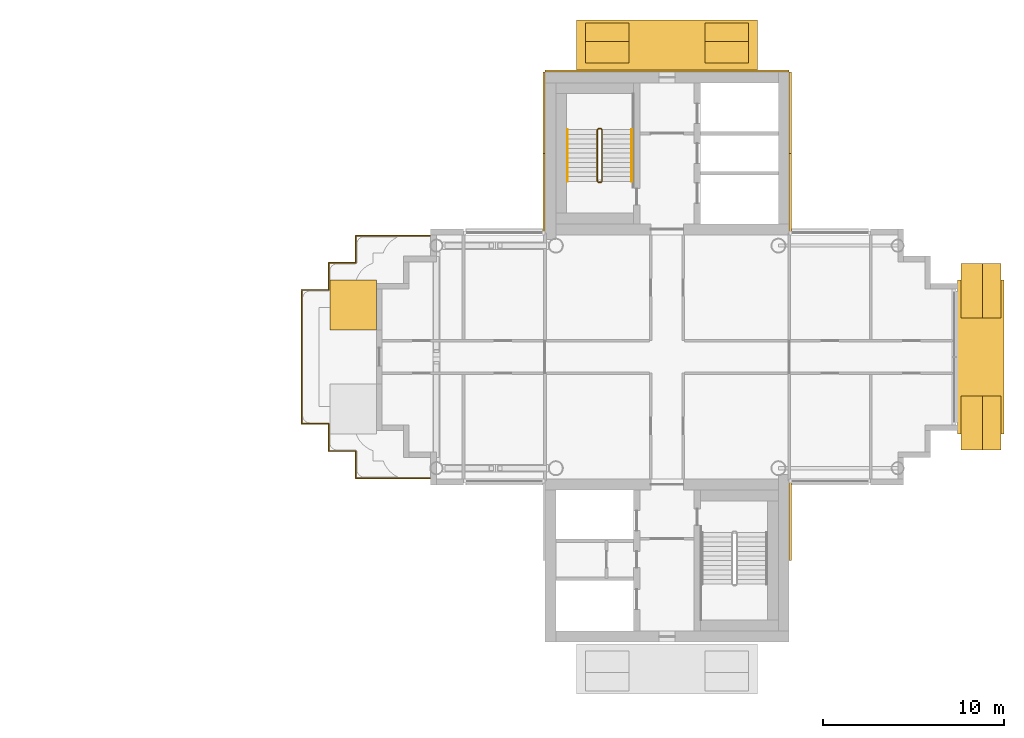
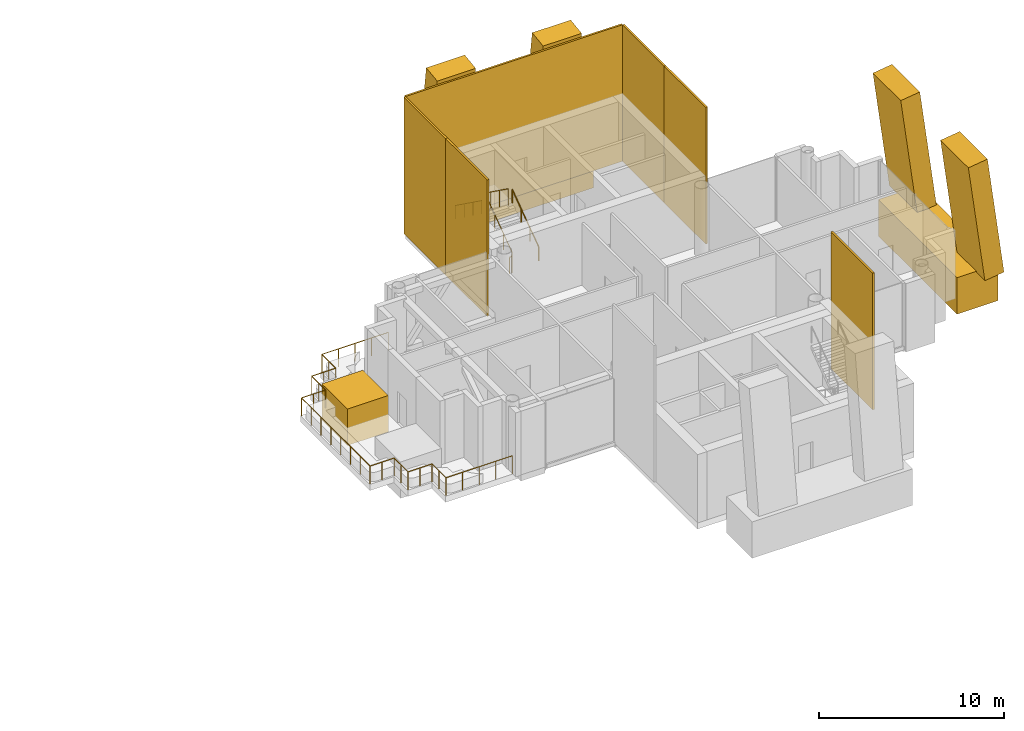
# One storey, part 16 of 16: 13 coverings, 4 railings.
"""IFC4 building model written with IfcOpenShell, lengths in metres."""

from ifc_helpers import new_model, si_unit, direction, frame, origin, origin_2d, place, context, subcontext, project, spatial, rectangle, circle, extrude, material, layer, layer_set, material_profile, profile_set, type_object, element, save


model = new_model("IFC4")

# Units and contexts
model_context = context("Model", 3, precision=1e-05, world=origin(), true_north=direction((0.0, 1.0)))
body_context = subcontext(model_context, "Body", "Model", "MODEL_VIEW")
ifc_project = project(units=[si_unit("LENGTHUNIT", "METRE"), si_unit("AREAUNIT", "SQUARE_METRE"), si_unit("VOLUMEUNIT", "CUBIC_METRE"), si_unit("PLANEANGLEUNIT", "RADIAN"), si_unit("MASSUNIT", "GRAM", prefix="KILO")], contexts=[model_context])

# Site, building, storey
site_placement = place(None, origin())
site = spatial("IfcSite", under=ifc_project, at=site_placement, CompositionType="ELEMENT")
building_placement = place(site_placement, origin())
building = spatial("IfcBuilding", under=site, at=building_placement, Name="Ipe Terrace Towers", CompositionType="ELEMENT")
storey_placement = place(building_placement, frame((0.0, 0.0, 233.39990234375)))
storey = spatial("IfcBuildingStorey", under=building, at=storey_placement, Name="L65", CompositionType="ELEMENT", Elevation=233.39990234375)

# Railing
ifc_material_1 = material(Name="Stainless steel S316", Category="steel")
railing_type_1 = type_object("IfcRailingType", Name="ROOF GUARD 1200", PredefinedType="BALUSTRADE", material=ifc_material_1)
railing_1_placement = place(storey_placement, frame((22.929931640625, 6.699951171875, -0.02001953125)))
element("IfcRailing", 1, at=railing_1_placement, inside=storey, type_object=railing_type_1, Name="roof guard", PredefinedType="BALUSTRADE", context=body_context, shape_type="SweptSolid", body=[
    extrude(circle(Radius=0.02392578125, at=origin_2d()), frame((0.0, 0.0, 1.17578125), z_axis=(-1.0, 0.0, 0.0), x_axis=(0.0, -1.0, 0.0)), (0.0, 0.0, 1.0), 4.1298828125),
    extrude(circle(Radius=0.02392578125, at=origin_2d()), frame((-4.1298828125, 0.0, 1.17578125), z_axis=(0.0, -1.0, 0.0), x_axis=(1.0, 0.0, 0.0)), (0.0, 0.0, 1.0), 1.5),
    extrude(circle(Radius=0.02392578125, at=origin_2d()), frame((-4.1298828125, -1.5, 1.17578125), z_axis=(-1.0, 0.0, 0.0), x_axis=(0.0, -1.0, 0.0)), (0.0, 0.0, 1.0), 1.5),
    extrude(circle(Radius=0.02392578125, at=origin_2d()), frame((-5.6298828125, -1.5, 1.17578125), z_axis=(0.0, -1.0, 0.0), x_axis=(1.0, 0.0, 0.0)), (0.0, 0.0, 1.0), 1.5),
    extrude(circle(Radius=0.02392578125, at=origin_2d()), frame((-5.6298828125, -3.0, 1.17578125), z_axis=(-1.0, 0.0, 0.0), x_axis=(0.0, -1.0, 0.0)), (0.0, 0.0, 1.0), 1.5),
    extrude(circle(Radius=0.02392578125, at=origin_2d()), frame((-7.1298828125, -3.0, 1.17578125), z_axis=(0.0, -1.0, 0.0), x_axis=(1.0, 0.0, 0.0)), (0.0, 0.0, 1.0), 7.39990234375),
    extrude(circle(Radius=0.02392578125, at=origin_2d()), frame((-7.1298828125, -10.39990234375, 1.17578125), z_axis=(1.0, 0.0, 0.0), x_axis=(0.0, 1.0, 0.0)), (0.0, 0.0, 1.0), 1.5),
    extrude(circle(Radius=0.02392578125, at=origin_2d()), frame((-5.6298828125, -10.39990234375, 1.17578125), z_axis=(0.0, -1.0, 0.0), x_axis=(1.0, 0.0, 0.0)), (0.0, 0.0, 1.0), 1.5),
    extrude(circle(Radius=0.02392578125, at=origin_2d()), frame((-5.6298828125, -11.89990234375, 1.17578125), z_axis=(1.0, 0.0, 0.0), x_axis=(0.0, 1.0, 0.0)), (0.0, 0.0, 1.0), 1.5),
    extrude(circle(Radius=0.02392578125, at=origin_2d()), frame((-4.1298828125, -11.89990234375, 1.17578125), z_axis=(0.0, -1.0, 0.0), x_axis=(1.0, 0.0, 0.0)), (0.0, 0.0, 1.0), 1.5),
    extrude(circle(Radius=0.02392578125, at=origin_2d()), frame((-4.1298828125, -13.39990234375, 1.17578125), z_axis=(1.0, 0.0, 0.0), x_axis=(0.0, 1.0, 0.0)), (0.0, 0.0, 1.0), 4.1298828125),
    extrude(circle(Radius=0.02099609375, at=origin_2d()), origin(), (0.0, 0.0, 1.0), 1.15185546875),
    extrude(circle(Radius=0.02099609375, at=origin_2d()), frame((-1.032470703125, 0.0, 0.0)), (0.0, 0.0, 1.0), 1.15185546875),
    extrude(circle(Radius=0.02099609375, at=origin_2d()), frame((-2.06494140625, 0.0, 0.0)), (0.0, 0.0, 1.0), 1.15185546875),
    extrude(circle(Radius=0.02099609375, at=origin_2d()), frame((-3.097412109375, 0.0, 0.0)), (0.0, 0.0, 1.0), 1.15185546875),
    extrude(circle(Radius=0.02099609375, at=origin_2d()), frame((-4.1298828125, 0.0, 0.0)), (0.0, 0.0, 1.0), 1.15185546875),
    extrude(circle(Radius=0.02099609375, at=origin_2d()), frame((-4.1298828125, -0.75, 0.0)), (0.0, 0.0, 1.0), 1.15185546875),
    extrude(circle(Radius=0.02099609375, at=origin_2d()), frame((-4.1298828125, -1.5, 0.0)), (0.0, 0.0, 1.0), 1.15185546875),
    extrude(circle(Radius=0.02099609375, at=origin_2d()), frame((-4.8798828125, -1.5, 0.0)), (0.0, 0.0, 1.0), 1.15185546875),
    extrude(circle(Radius=0.02099609375, at=origin_2d()), frame((-5.6298828125, -1.5, 0.0)), (0.0, 0.0, 1.0), 1.15185546875),
    extrude(circle(Radius=0.02099609375, at=origin_2d()), frame((-5.6298828125, -2.25, 0.0)), (0.0, 0.0, 1.0), 1.15185546875),
    extrude(circle(Radius=0.02099609375, at=origin_2d()), frame((-5.6298828125, -3.0, 0.0)), (0.0, 0.0, 1.0), 1.15185546875),
    extrude(circle(Radius=0.02099609375, at=origin_2d()), frame((-6.3798828125, -3.0, 0.0)), (0.0, 0.0, 1.0), 1.15185546875),
    extrude(circle(Radius=0.02099609375, at=origin_2d()), frame((-7.1298828125, -3.0, 0.0)), (0.0, 0.0, 1.0), 1.15185546875),
    extrude(circle(Radius=0.02099609375, at=origin_2d()), frame((-7.1298828125, -4.05712890625, 0.0)), (0.0, 0.0, 1.0), 1.15185546875),
    extrude(circle(Radius=0.02099609375, at=origin_2d()), frame((-7.1298828125, -5.1142578125, 0.0)), (0.0, 0.0, 1.0), 1.15185546875),
    extrude(circle(Radius=0.02099609375, at=origin_2d()), frame((-7.1298828125, -6.17138671875, 0.0)), (0.0, 0.0, 1.0), 1.15185546875),
    extrude(circle(Radius=0.02099609375, at=origin_2d()), frame((-7.1298828125, -7.228515625, 0.0)), (0.0, 0.0, 1.0), 1.15185546875),
    extrude(circle(Radius=0.02099609375, at=origin_2d()), frame((-7.1298828125, -8.28564453125, 0.0)), (0.0, 0.0, 1.0), 1.15185546875),
    extrude(circle(Radius=0.02099609375, at=origin_2d()), frame((-7.1298828125, -9.3427734375, 0.0)), (0.0, 0.0, 1.0), 1.15185546875),
    extrude(circle(Radius=0.02099609375, at=origin_2d()), frame((-7.1298828125, -10.39990234375, 0.0)), (0.0, 0.0, 1.0), 1.15185546875),
    extrude(circle(Radius=0.02099609375, at=origin_2d()), frame((-6.3798828125, -10.39990234375, 0.0)), (0.0, 0.0, 1.0), 1.15185546875),
    extrude(circle(Radius=0.02099609375, at=origin_2d()), frame((-5.6298828125, -10.39990234375, 0.0)), (0.0, 0.0, 1.0), 1.15185546875),
    extrude(circle(Radius=0.02099609375, at=origin_2d()), frame((-5.6298828125, -11.14990234375, 0.0)), (0.0, 0.0, 1.0), 1.15185546875),
    extrude(circle(Radius=0.02099609375, at=origin_2d()), frame((-5.6298828125, -11.89990234375, 0.0)), (0.0, 0.0, 1.0), 1.15185546875),
    extrude(circle(Radius=0.02099609375, at=origin_2d()), frame((-4.8798828125, -11.89990234375, 0.0)), (0.0, 0.0, 1.0), 1.15185546875),
    extrude(circle(Radius=0.02099609375, at=origin_2d()), frame((-4.1298828125, -11.89990234375, 0.0)), (0.0, 0.0, 1.0), 1.15185546875),
    extrude(circle(Radius=0.02099609375, at=origin_2d()), frame((-4.1298828125, -12.64990234375, 0.0)), (0.0, 0.0, 1.0), 1.15185546875),
    extrude(circle(Radius=0.02099609375, at=origin_2d()), frame((-4.1298828125, -13.39990234375, 0.0)), (0.0, 0.0, 1.0), 1.15185546875),
    extrude(circle(Radius=0.02099609375, at=origin_2d()), frame((-3.097412109375, -13.39990234375, 0.0)), (0.0, 0.0, 1.0), 1.15185546875),
    extrude(circle(Radius=0.02099609375, at=origin_2d()), frame((-2.06494140625, -13.39990234375, 0.0)), (0.0, 0.0, 1.0), 1.15185546875),
    extrude(circle(Radius=0.02099609375, at=origin_2d()), frame((-1.032470703125, -13.39990234375, 0.0)), (0.0, 0.0, 1.0), 1.15185546875),
    extrude(circle(Radius=0.02099609375, at=origin_2d()), frame((0.0, -13.39990234375, 0.0)), (0.0, 0.0, 1.0), 1.15185546875),
])

# Coverings
ifc_material_2 = material(Name="Concrete C50/60 precast, buff finish", Category="concrete")
ifc_layer = layer(ifc_material_2, 0.1201171875)
ifc_layer_set = layer_set([ifc_layer], Name="STONE CORE CLADDING 120")
covering_type_1 = type_object("IfcCoveringType", Name="STONE CORE CLADDING 120", PredefinedType="CLADDING", material=ifc_layer_set)
for number, where, z_axis, x_axis, name in (
    (2, (29.18994140625, 9.0, 0.0), (0.0, 0.0, 1.0), (0.0, -1.0, 0.0), "stone core cladding"),
    (3, (29.18994140625, 13.5, 0.0), (0.0, 0.0, 1.0), (0.0, -1.0, 0.0), "stone core cladding"),
    (4, (42.81005859375, -9.0, 0.0), (0.0, 0.0, 1.0), (0.0, 1.0, 0.0), "stone core cladding"),
    (5, (42.81005859375, 9.0, 0.0), (0.0, 0.0, 1.0), (0.0, 1.0, 0.0), "stone core cladding"),
    (6, (42.81005859375, 13.5, 0.0), (0.0, 0.0, 1.0), (0.0, 1.0, 0.0), "stone core cladding"),
):
    element("IfcCovering", number, at=place(storey_placement, frame(where, z_axis=z_axis, x_axis=x_axis)), inside=storey, type_object=covering_type_1, Name=name, PredefinedType="CLADDING", context=body_context, shape_type="SweptSolid", body=[
        extrude(rectangle(XDim=4.5, YDim=0.1201171875, at=origin_2d()), origin(), (0.0, 0.0, 1.0), 9.0),
    ])
covering_1_placement = place(storey_placement, frame((36.0, 15.81005859375, 0.0), z_axis=(0.0, 0.0, 1.0), x_axis=(-1.0, 0.0, 0.0)))
element("IfcCovering", 7, at=covering_1_placement, inside=storey, type_object=covering_type_1, Name="stone core cladding", PredefinedType="CLADDING", context=body_context, shape_type="SweptSolid", body=[
    extrude(rectangle(XDim=13.5, YDim=0.1201171875, at=origin_2d()), origin(), (0.0, 0.0, 1.0), 9.0),
])
ifc_material_3 = material(Name="Concrete C50/60 precast, buff finish", Category="concrete")
ifc_material_profile_1 = material_profile(ifc_material_3, rectangle(XDim=2.39990234375, YDim=1.199951171875, at=origin_2d()), Name="STONE FIN 2400 x 1200")
ifc_profile_set_1 = profile_set([ifc_material_profile_1], Name="Concrete C50/60 precast, buff finish")
covering_type_2 = type_object("IfcCoveringType", Name="STONE FIN 2400 x 1200", PredefinedType="USERDEFINED", material=ifc_profile_set_1)
for number, where, z_axis, x_axis, name in (
    (8, (32.699951171875, 17.8701171875, 1.2001953125), (0.0, -0.131043676117, 0.991376595926), (-1.0, 0.0, 0.0), "stone fin"),
    (9, (39.300048828125, 17.8701171875, 1.2001953125), (0.0, -0.131043676117, 0.991376595926), (-1.0, 0.0, 0.0), "stone fin"),
):
    element("IfcCovering", number, at=place(storey_placement, frame(where, z_axis=z_axis, x_axis=x_axis)), inside=storey, type_object=covering_type_2, Name=name, ObjectType="FIN", PredefinedType="USERDEFINED", context=body_context, shape_type="SweptSolid", body=[
        extrude(rectangle(XDim=2.39990234375, YDim=1.199951171875, at=origin_2d()), origin(), (0.0, 0.0, 1.0), 7.86767578125),
    ])
ifc_material_4 = material(Name="Concrete C50/60 precast, buff finish", Category="concrete")
ifc_material_profile_2 = material_profile(ifc_material_4, rectangle(XDim=3.0, YDim=1.199951171875, at=origin_2d()), Name="STONE FIN CORNER 3000 x 1200")
ifc_profile_set_2 = profile_set([ifc_material_profile_2], Name="Concrete C50/60 precast, buff finish")
covering_type_3 = type_object("IfcCoveringType", Name="STONE FIN CORNER 3000 x 1200", PredefinedType="USERDEFINED", material=ifc_profile_set_2)
for number, where, z_axis, x_axis, name in (
    (10, (53.8701171875, -3.64990234375, 1.2001953125), (-0.131043676117, 0.0, 0.991376595926), (0.0, 1.0, 0.0), "stone fin"),
    (11, (53.8701171875, 3.64990234375, 1.2001953125), (-0.131043676117, 0.0, 0.991376595926), (0.0, 1.0, 0.0), "stone fin"),
):
    element("IfcCovering", number, at=place(storey_placement, frame(where, z_axis=z_axis, x_axis=x_axis)), inside=storey, type_object=covering_type_3, Name=name, ObjectType="FIN", PredefinedType="USERDEFINED", context=body_context, shape_type="SweptSolid", body=[
        extrude(rectangle(XDim=3.0, YDim=1.199951171875, at=origin_2d()), origin(), (0.0, 0.0, 1.0), 7.86767578125),
    ])
ifc_material_5 = material(Name="Concrete C50/60 precast, buff finish", Category="concrete")
ifc_material_profile_3 = material_profile(ifc_material_5, rectangle(XDim=2.56005859375, YDim=2.39990234375, at=origin_2d()), Name="STONE FIN SPANDREL 2560 x 2400")
ifc_profile_set_3 = profile_set([ifc_material_profile_3], Name="Concrete C50/60 precast, buff finish")
covering_type_4 = type_object("IfcCoveringType", Name="STONE FIN SPANDREL 2560 x 2400", PredefinedType="CLADDING", material=ifc_profile_set_3)
covering_2_placement = place(storey_placement, frame((53.340087890625, -4.25, 0.0), z_axis=(0.0, 1.0, 0.0), x_axis=(1.0, 0.0, 0.0)))
element("IfcCovering", 12, at=covering_2_placement, inside=storey, type_object=covering_type_4, Name="stone fin spandrel", PredefinedType="CLADDING", context=body_context, shape_type="SweptSolid", body=[
    extrude(rectangle(XDim=2.56005859375, YDim=2.39990234375, at=origin_2d()), origin(), (0.0, 0.0, 1.0), 8.5),
])
covering_3_placement = place(storey_placement, frame((18.659912109375, 4.25, 0.0), z_axis=(0.0, -1.0, 0.0), x_axis=(-1.0, 0.0, 0.0)))
element("IfcCovering", 13, at=covering_3_placement, inside=storey, type_object=covering_type_4, Name="stone fin spandrel", PredefinedType="CLADDING", context=body_context, shape_type="SweptSolid", body=[
    extrude(rectangle(XDim=2.56005859375, YDim=2.39990234375, at=origin_2d()), origin(), (0.0, 0.0, 1.0), 2.75),
])
ifc_material_6 = material(Name="Concrete C50/60 precast, buff finish", Category="concrete")
ifc_material_profile_4 = material_profile(ifc_material_6, rectangle(XDim=2.760009765625, YDim=2.39990234375, at=origin_2d()), Name="STONE FIN SPANDREL 2760 x 2400")
ifc_profile_set_4 = profile_set([ifc_material_profile_4], Name="Concrete C50/60 precast, buff finish")
covering_type_5 = type_object("IfcCoveringType", Name="STONE FIN SPANDREL 2760 x 2400", PredefinedType="CLADDING", material=ifc_profile_set_4)
covering_4_placement = place(storey_placement, frame((41.0, 17.239990234375, 0.0), z_axis=(-1.0, 0.0, 0.0), x_axis=(0.0, 1.0, 0.0)))
element("IfcCovering", 14, at=covering_4_placement, inside=storey, type_object=covering_type_5, Name="stone fin spandrel", PredefinedType="CLADDING", context=body_context, shape_type="SweptSolid", body=[
    extrude(rectangle(XDim=2.760009765625, YDim=2.39990234375, at=origin_2d()), origin(), (0.0, 0.0, 1.0), 10.0),
])

# Railings
ifc_material_7 = material(Name="Steel S355", Category="steel")
railing_type_2 = type_object("IfcRailingType", Name="Stair guard 1100", PredefinedType="GUARDRAIL", material=ifc_material_7)
railing_2_placement = place(storey_placement, frame((32.199951171875, 9.64990234375, 0.0)))
element("IfcRailing", 15, at=railing_2_placement, inside=storey, type_object=railing_type_2, Name="L65 T2-ST1 stair guard 1", PredefinedType="GUARDRAIL", context=body_context, shape_type="SweptSolid", body=[
    extrude(circle(Radius=0.02392578125, at=origin_2d()), frame((0.0, 0.0, 1.076171875), z_axis=(1.0, 0.0, 0.0), x_axis=(0.0, 1.0, 0.0)), (0.0, 0.0, 1.0), 0.150146484375),
    extrude(circle(Radius=0.02392578125, at=origin_2d()), frame((0.150146484375, 0.0, 1.076171875), z_axis=(0.248583702486, 0.249802250048, 0.935844527007), x_axis=(-0.708833529934, 0.705375805398, 0.0)), (0.0, 0.0, 1.0), 0.200439453125),
    extrude(circle(Radius=0.02392578125, at=origin_2d()), frame((0.199951171875, 0.050048828125, 1.263671875), z_axis=(0.0, 0.811100754333, 0.584906459462), x_axis=(-1.0, 0.0, 0.0)), (0.0, 0.0, 1.0), 3.526123046875),
    extrude(circle(Radius=0.02392578125, at=origin_2d()), frame((0.199951171875, 2.91015625, 3.326171875), z_axis=(-0.705375805398, 0.708833529934, 0.0), x_axis=(-0.708833529934, -0.705375805398, 0.0)), (0.0, 0.0, 1.0), 0.070556640625),
    extrude(circle(Radius=0.02392578125, at=origin_2d()), frame((0.150146484375, 2.960205078125, 3.326171875), z_axis=(-1.0, 0.0, 0.0), x_axis=(0.0, -1.0, 0.0)), (0.0, 0.0, 1.0), 0.150146484375),
    extrude(circle(Radius=0.02392578125, at=origin_2d()), frame((0.0, 2.960205078125, 3.326171875), z_axis=(-0.249726431254, -0.249726431254, 0.935560483917), x_axis=(0.707106781187, -0.707106781187, 0.0)), (0.0, 0.0, 1.0), 0.200439453125),
    extrude(circle(Radius=0.02392578125, at=origin_2d()), frame((-0.050048828125, 2.91015625, 3.513671875), z_axis=(0.0, -0.811100754333, 0.584906459462), x_axis=(1.0, 0.0, 0.0)), (0.0, 0.0, 1.0), 3.526123046875),
    extrude(circle(Radius=0.02099609375, at=origin_2d()), origin(), (0.0, 0.0, 1.0), 1.052001953125),
    extrude(circle(Radius=0.02099609375, at=origin_2d()), frame((0.150146484375, 0.0, 0.0)), (0.0, 0.0, 1.0), 1.052001953125),
    extrude(circle(Radius=0.02099609375, at=origin_2d()), frame((0.199951171875, 0.050048828125, 0.1875)), (0.0, 0.0, 1.0), 1.052001953125),
    extrude(circle(Radius=0.02099609375, at=origin_2d()), frame((0.199951171875, 1.00341796875, 0.875)), (0.0, 0.0, 1.0), 1.052001953125),
    extrude(circle(Radius=0.02099609375, at=origin_2d()), frame((0.199951171875, 1.956787109375, 1.5625)), (0.0, 0.0, 1.0), 1.052001953125),
    extrude(circle(Radius=0.02099609375, at=origin_2d()), frame((0.199951171875, 2.91015625, 2.25)), (0.0, 0.0, 1.0), 1.052001953125),
    extrude(circle(Radius=0.02099609375, at=origin_2d()), frame((0.150146484375, 2.960205078125, 2.25)), (0.0, 0.0, 1.0), 1.052001953125),
    extrude(circle(Radius=0.02099609375, at=origin_2d()), frame((0.0, 2.960205078125, 2.25)), (0.0, 0.0, 1.0), 1.052001953125),
    extrude(circle(Radius=0.02099609375, at=origin_2d()), frame((-0.050048828125, 2.91015625, 2.4375)), (0.0, 0.0, 1.0), 1.052001953125),
    extrude(circle(Radius=0.02099609375, at=origin_2d()), frame((-0.050048828125, 1.956787109375, 3.125)), (0.0, 0.0, 1.0), 1.052001953125),
    extrude(circle(Radius=0.02099609375, at=origin_2d()), frame((-0.050048828125, 1.00341796875, 3.8125)), (0.0, 0.0, 1.0), 1.052001953125),
    extrude(circle(Radius=0.02099609375, at=origin_2d()), frame((-0.050048828125, 0.050048828125, 4.5)), (0.0, 0.0, 1.0), 1.052001953125),
])
ifc_material_8 = material(Name="Stainless steel grade 304", Category="steel")
railing_type_3 = type_object("IfcRailingType", Name="Stair handrail 900", PredefinedType="HANDRAIL", material=ifc_material_8)
railing_3_placement = place(storey_placement, frame((34.050048828125, 9.699951171875, 0.1875)))
element("IfcRailing", 16, at=railing_3_placement, inside=storey, type_object=railing_type_3, Name="L65 T2-ST1 stair handrail 1", PredefinedType="HANDRAIL", context=body_context, shape_type="SweptSolid", body=[
    extrude(circle(Radius=0.02392578125, at=origin_2d()), frame((0.0, 0.0, 0.8759765625), z_axis=(0.0, 0.811100754333, 0.584906459462), x_axis=(-1.0, 0.0, 0.0)), (0.0, 0.0, 1.0), 3.526123046875),
    extrude(circle(Radius=0.02099609375, at=origin_2d()), origin(), (0.0, 0.0, 1.0), 0.851806640625),
    extrude(circle(Radius=0.02099609375, at=origin_2d()), frame((0.0, 0.953369140625, 0.6875)), (0.0, 0.0, 1.0), 0.851806640625),
    extrude(circle(Radius=0.02099609375, at=origin_2d()), frame((0.0, 1.90673828125, 1.375)), (0.0, 0.0, 1.0), 0.851806640625),
    extrude(circle(Radius=0.02099609375, at=origin_2d()), frame((0.0, 2.860107421875, 2.0625)), (0.0, 0.0, 1.0), 0.851806640625),
])
railing_4_placement = place(storey_placement, frame((30.5, 12.56005859375, 2.4375)))
element("IfcRailing", 17, at=railing_4_placement, inside=storey, type_object=railing_type_3, Name="L65 T2-ST1 stair handrail 2", PredefinedType="HANDRAIL", context=body_context, shape_type="SweptSolid", body=[
    extrude(circle(Radius=0.02392578125, at=origin_2d()), frame((0.0, 0.0, 0.8759765625), z_axis=(0.0, -0.811100754333, 0.584906459462), x_axis=(1.0, 0.0, 0.0)), (0.0, 0.0, 1.0), 3.526123046875),
    extrude(circle(Radius=0.02099609375, at=origin_2d()), origin(), (0.0, 0.0, 1.0), 0.851806640625),
    extrude(circle(Radius=0.02099609375, at=origin_2d()), frame((0.0, -0.953369140625, 0.6875)), (0.0, 0.0, 1.0), 0.851806640625),
    extrude(circle(Radius=0.02099609375, at=origin_2d()), frame((0.0, -1.90673828125, 1.375)), (0.0, 0.0, 1.0), 0.851806640625),
    extrude(circle(Radius=0.02099609375, at=origin_2d()), frame((0.0, -2.860107421875, 2.0625)), (0.0, 0.0, 1.0), 0.851806640625),
])

save(model, "model.ifc")
